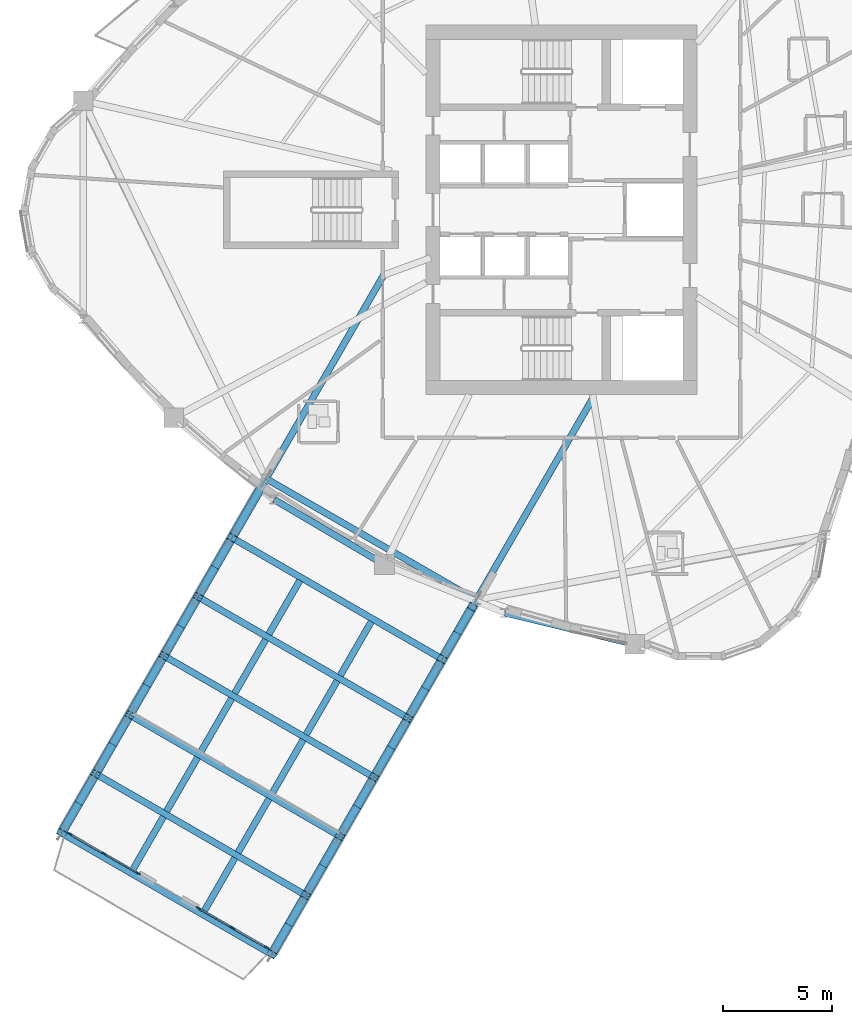
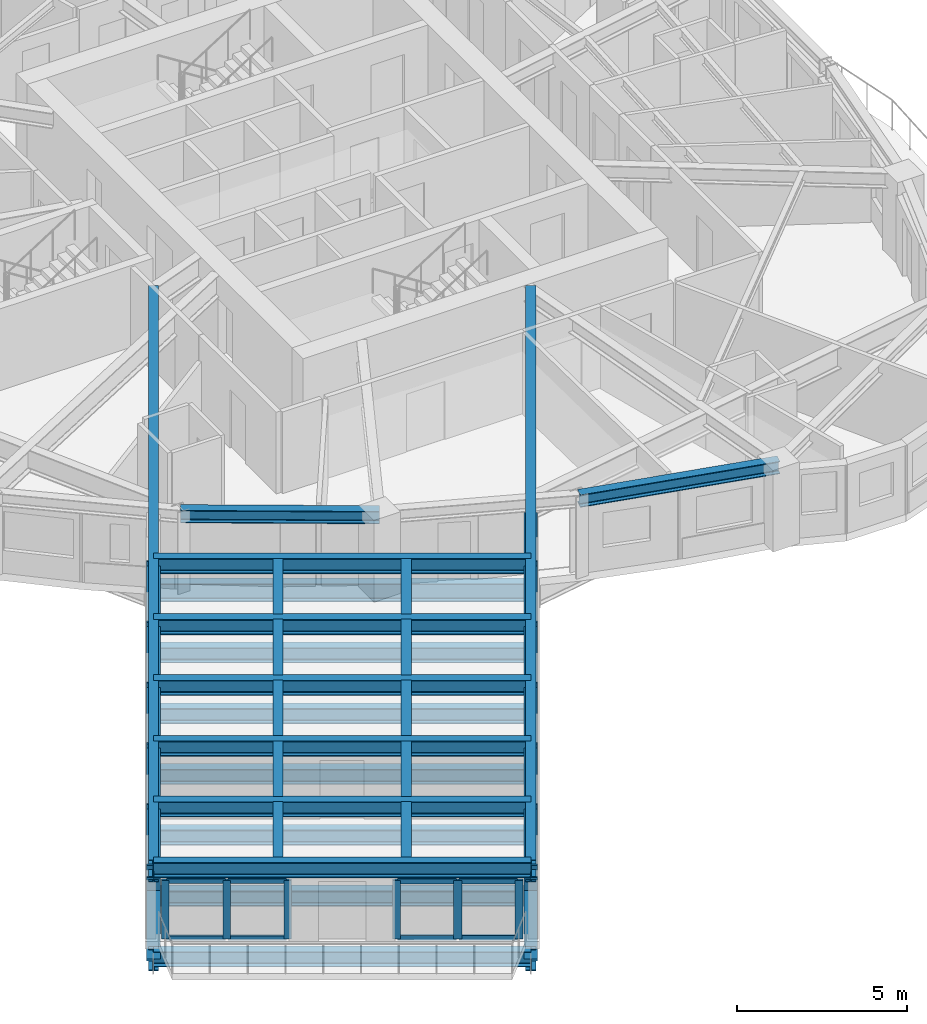
# One storey, part 2 of 17: 38 members, 28 beams, 2 elements without a shape of their own.
"""IFC4 building model written with IfcOpenShell, lengths in metres."""

from ifc_helpers import new_model, si_unit, direction, frame, origin, origin_2d, place, context, subcontext, project, spatial, rectangle, i_section, extrude, source, transform, mapped, material, layer, layer_set, material_profile, profile_set, type_object, element, aggregate, save


model = new_model("IFC4")

# Units and contexts
model_context = context("Model", 3, precision=1e-05, world=origin(), true_north=direction((0.0, 1.0)))
body_context = subcontext(model_context, "Body", "Model", "MODEL_VIEW")
ifc_project = project(units=[si_unit("LENGTHUNIT", "METRE"), si_unit("AREAUNIT", "SQUARE_METRE"), si_unit("VOLUMEUNIT", "CUBIC_METRE"), si_unit("PLANEANGLEUNIT", "RADIAN"), si_unit("MASSUNIT", "GRAM", prefix="KILO")], contexts=[model_context])

# Site, building, storey
site_placement = place(None, origin())
site = spatial("IfcSite", under=ifc_project, at=site_placement, CompositionType="ELEMENT")
building_placement = place(site_placement, origin())
building = spatial("IfcBuilding", under=site, at=building_placement, Name="Qafzar Sky-Pleat Residences", CompositionType="ELEMENT")
storey_placement = place(building_placement, frame((0.0, 0.0, 108.800048828125)))
storey = spatial("IfcBuildingStorey", under=building, at=storey_placement, Name="L32", CompositionType="ELEMENT", Elevation=108.800048828125)

# Beams
ifc_material_1 = material(Name="Steel S355", Category="steel")
ifc_material_profile_1 = material_profile(ifc_material_1, i_section(OverallWidth=0.300048828125, OverallDepth=0.449951171875, WebThickness=0.013916015625, FlangeThickness=0.02587890625, FilletRadius=0.027099609375, at=origin_2d()), Name="HEB 450")
ifc_profile_set_1 = profile_set([ifc_material_profile_1], Name="Steel S355")
beam_type_1 = type_object("IfcBeamType", Name="BM-SPAN-HEB450", PredefinedType="SPANDREL", material=ifc_profile_set_1)
shared_shape_1 = source(origin(), body_context, "Body", "SweptSolid", [
    extrude(i_section(OverallWidth=0.300048828125, OverallDepth=0.449951171875, WebThickness=0.013916015625, FlangeThickness=0.02587890625, FilletRadius=0.027099609375, at=origin_2d()), origin(), (0.0, 0.0, 1.0), 5.85791015625),
])
beam_1_placement = place(storey_placement, frame((17.20947265625, 12.752685546875, 2.7080078125), z_axis=(0.861428087591, -0.507879562406, 0.0), x_axis=(0.507879562406, 0.861428087591, 0.0)))
element("IfcBeam", 1, at=beam_1_placement, inside=storey, type_object=beam_type_1, Name="L32 Perimeter Spandrel Beam 4", PredefinedType="SPANDREL", context=body_context, shape_type="MappedRepresentation", body=[
    mapped(shared_shape_1, transform((0.0, 0.0, 0.0), x_axis=(1.0, 0.0, 0.0), y_axis=(0.0, 1.0, 0.0), z_axis=(0.0, 0.0, 1.0), scale=1.0)),
])
shared_shape_2 = source(origin(), body_context, "Body", "SweptSolid", [
    extrude(i_section(OverallWidth=0.300048828125, OverallDepth=0.449951171875, WebThickness=0.013916015625, FlangeThickness=0.02587890625, FilletRadius=0.027099609375, at=origin_2d()), origin(), (0.0, 0.0, 1.0), 6.122314453125),
])
beam_2_placement = place(storey_placement, frame((27.75390625, 7.5693359375, 2.7080078125), z_axis=(0.971910390101, -0.235351213325, 0.0), x_axis=(0.235351213325, 0.971910390101, 0.0)))
element("IfcBeam", 2, at=beam_2_placement, inside=storey, type_object=beam_type_1, Name="L32 Perimeter Spandrel Beam 6", PredefinedType="SPANDREL", context=body_context, shape_type="MappedRepresentation", body=[
    mapped(shared_shape_2, transform((0.0, 0.0, 0.0), x_axis=(1.0, 0.0, 0.0), y_axis=(0.0, 1.0, 0.0), z_axis=(0.0, 0.0, 1.0), scale=1.0)),
])
ifc_material_2 = material(Name="Steel S460", Category="steel")
ifc_material_profile_2 = material_profile(ifc_material_2, i_section(OverallWidth=0.300048828125, OverallDepth=0.800048828125, WebThickness=0.017578125, FlangeThickness=0.032958984375, FilletRadius=0.030029296875, at=origin_2d()), Name="HEB 800")
ifc_profile_set_2 = profile_set([ifc_material_profile_2], Name="Steel S460")
beam_type_2 = type_object("IfcBeamType", Name="BM-CHORD-HEB800", PredefinedType="BEAM", material=ifc_profile_set_2)
shared_shape_3 = source(origin(), body_context, "Body", "SweptSolid", [
    extrude(i_section(OverallWidth=0.300048828125, OverallDepth=0.800048828125, WebThickness=0.017578125, FlangeThickness=0.032958984375, FilletRadius=0.030029296875, at=origin_2d()), origin(), (0.0, 0.0, 1.0), 29.460205078125),
])
beam_3_placement = place(storey_placement, frame((31.831298828125, 17.4658203125, 2.532958984375), z_axis=(-0.499994809059, -0.866028400755, 0.0), x_axis=(0.866028400755, -0.499994809059, 0.0)))
element("IfcBeam", 3, at=beam_3_placement, inside=storey, type_object=beam_type_2, Name="L32 SB-3 Truss Chord L1", PredefinedType="BEAM", context=body_context, shape_type="MappedRepresentation", body=[
    mapped(shared_shape_3, transform((0.0, 0.0, 0.0), x_axis=(1.0, 0.0, 0.0), y_axis=(0.0, 1.0, 0.0), z_axis=(0.0, 0.0, 1.0), scale=1.0)),
])
shared_shape_4 = source(origin(), body_context, "Body", "SweptSolid", [
    extrude(i_section(OverallWidth=0.300048828125, OverallDepth=0.800048828125, WebThickness=0.017578125, FlangeThickness=0.032958984375, FilletRadius=0.030029296875, at=origin_2d()), origin(), (0.0, 0.0, 1.0), 18.71044921875),
])
for number, where, z_axis, x_axis, name in (
    (4, (26.456298828125, 8.15625, -0.6669921875), (-0.499987133773, -0.866032831976, 0.0), (0.866032831976, -0.499987133773, 0.0), "L32 SB-3 Bottom Chord L1"),
    (5, (16.843505859375, 13.706298828125, -0.6669921875), (-0.499996920117, -0.866027181948, 0.0), (0.866027181948, -0.499996920117, 0.0), "L32 SB-3 Bottom Chord R1"),
):
    element("IfcBeam", number, at=place(storey_placement, frame(where, z_axis=z_axis, x_axis=x_axis)), inside=storey, type_object=beam_type_2, Name=name, PredefinedType="BEAM", context=body_context, shape_type="MappedRepresentation", body=[
        mapped(shared_shape_4, transform((0.0, 0.0, 0.0), x_axis=(1.0, 0.0, 0.0), y_axis=(0.0, 1.0, 0.0), z_axis=(0.0, 0.0, 1.0), scale=1.0)),
    ])

# Members
ifc_material_profile_3 = material_profile(ifc_material_2, i_section(OverallWidth=0.300048828125, OverallDepth=0.64990234375, WebThickness=0.01611328125, FlangeThickness=0.031005859375, FilletRadius=0.027099609375, at=origin_2d()), Name="HEB 650")
ifc_profile_set_3 = profile_set([ifc_material_profile_3], Name="Steel S460")
member_type_1 = type_object("IfcMemberType", Name="MEM-SB-CHORD", PredefinedType="CHORD", material=ifc_profile_set_3)
shared_shape_5 = source(origin(), body_context, "Body", "SweptSolid", [
    extrude(i_section(OverallWidth=0.300048828125, OverallDepth=0.64990234375, WebThickness=0.01611328125, FlangeThickness=0.031005859375, FilletRadius=0.027099609375, at=origin_2d()), origin(), (0.0, 0.0, 1.0), 11.099853515625),
])
member_1_placement = place(storey_placement, frame((26.456298828125, 8.15625, -0.47705078125), z_axis=(-0.866021494144, 0.500006771635, 0.0), x_axis=(-0.500006771635, -0.866021494144, 0.0)))
element("IfcMember", 6, at=member_1_placement, inside=storey, type_object=member_type_1, Name="L32 SB-3 Truss Root Tie Chord", PredefinedType="CHORD", context=body_context, shape_type="MappedRepresentation", body=[
    mapped(shared_shape_5, transform((0.0, 0.0, 0.0), x_axis=(1.0, 0.0, 0.0), y_axis=(0.0, 1.0, 0.0), z_axis=(0.0, 0.0, 1.0), scale=1.0)),
])
ifc_material_profile_4 = material_profile(ifc_material_2, i_section(OverallWidth=0.40087890625, OverallDepth=0.39892578125, WebThickness=0.02294921875, FlangeThickness=0.035888671875, FilletRadius=0.014892578125, at=origin_2d()), Name="HD 400x314")
ifc_profile_set_4 = profile_set([ifc_material_profile_4], Name="Steel S460")
member_type_2 = type_object("IfcMemberType", Name="MEM-SB-DIAG", PredefinedType="BRACE", material=ifc_profile_set_4)
shared_shape_6 = source(origin(), body_context, "Body", "SweptSolid", [
    extrude(i_section(OverallWidth=0.40087890625, OverallDepth=0.39892578125, WebThickness=0.02294921875, FlangeThickness=0.035888671875, FilletRadius=0.014892578125, at=origin_2d()), origin(), (0.0, 0.0, 1.0), 4.224853515625),
])
for number, where, z_axis, x_axis, name in (
    (7, (26.2763671875, 7.844482421875, -0.6669921875), (-0.326444068238, -0.565454984547, 0.757426518392), (0.866039674899, -0.49997528089, 0.0), "L32 SB-3 Truss Web Diagonal L1A"),
    (8, (26.2763671875, 7.844482421875, 2.532958984375), (-0.326444068238, -0.565454984547, -0.757426518392), (0.866039674899, -0.49997528089, 0.0), "L32 SB-3 Truss Web Diagonal L1B"),
):
    element("IfcMember", number, at=place(storey_placement, frame(where, z_axis=z_axis, x_axis=x_axis)), inside=storey, type_object=member_type_2, Name=name, PredefinedType="BRACE", context=body_context, shape_type="MappedRepresentation", body=[
        mapped(shared_shape_6, transform((0.0, 0.0, 0.0), x_axis=(1.0, 0.0, 0.0), y_axis=(0.0, 1.0, 0.0), z_axis=(0.0, 0.0, 1.0), scale=1.0)),
    ])
shared_shape_7 = source(origin(), body_context, "Body", "SweptSolid", [
    extrude(i_section(OverallWidth=0.40087890625, OverallDepth=0.39892578125, WebThickness=0.02294921875, FlangeThickness=0.035888671875, FilletRadius=0.014892578125, at=origin_2d()), origin(), (0.0, 0.0, 1.0), 4.46826171875),
])
for number, where, z_axis, x_axis, name in (
    (9, (24.897216796875, 5.45556640625, -0.6669921875), (-0.348982495153, -0.604422163987, 0.716159944257), (0.866013493936, -0.500020627895, 0.0), "L32 SB-3 Truss Web Diagonal L2A"),
    (10, (24.897216796875, 5.45556640625, 2.532958984375), (-0.348982495153, -0.604422163987, -0.716159944257), (0.866013493936, -0.500020627895, 0.0), "L32 SB-3 Truss Web Diagonal L2B"),
    (11, (15.284423828125, 11.005615234375, -0.6669921875), (-0.348982495153, -0.604422163987, 0.716159944257), (0.866013493936, -0.500020627895, 0.0), "L32 SB-3 Truss Web Diagonal R2A"),
    (12, (15.284423828125, 11.005615234375, 2.532958984375), (-0.348982495153, -0.604422163987, -0.716159944257), (0.866013493936, -0.500020627895, 0.0), "L32 SB-3 Truss Web Diagonal R2B"),
    (13, (9.047607421875, 0.203125, -0.6669921875), (-0.348982495153, -0.604422163987, 0.716159944257), (0.866013493936, -0.500020627895, 0.0), "L32 SB-3 Truss Web Diagonal R6A"),
    (14, (9.047607421875, 0.203125, 2.532958984375), (-0.348982495153, -0.604422163987, -0.716159944257), (0.866013493936, -0.500020627895, 0.0), "L32 SB-3 Truss Web Diagonal R6B"),
):
    element("IfcMember", number, at=place(storey_placement, frame(where, z_axis=z_axis, x_axis=x_axis)), inside=storey, type_object=member_type_2, Name=name, PredefinedType="BRACE", context=body_context, shape_type="MappedRepresentation", body=[
        mapped(shared_shape_7, transform((0.0, 0.0, 0.0), x_axis=(1.0, 0.0, 0.0), y_axis=(0.0, 1.0, 0.0), z_axis=(0.0, 0.0, 1.0), scale=1.0)),
    ])
shared_shape_8 = source(origin(), body_context, "Body", "SweptSolid", [
    extrude(i_section(OverallWidth=0.40087890625, OverallDepth=0.39892578125, WebThickness=0.02294921875, FlangeThickness=0.035888671875, FilletRadius=0.014892578125, at=origin_2d()), origin(), (0.0, 0.0, 1.0), 4.468017578125),
])
for number, where, z_axis, x_axis, name in (
    (15, (23.337890625, 2.7548828125, -0.6669921875), (-0.348934508758, -0.604433688675, 0.716173599481), (0.866047393576, -0.499961910629, 0.0), "L32 SB-3 Truss Web Diagonal L3A"),
    (16, (23.337890625, 2.7548828125, 2.532958984375), (-0.348934508758, -0.604433688675, -0.716173599481), (0.866047393576, -0.499961910629, 0.0), "L32 SB-3 Truss Web Diagonal L3B"),
    (17, (21.77880859375, 0.05419921875, -0.6669921875), (-0.348994020464, -0.604387484006, 0.716183595775), (0.86599391852, -0.500054530113, 0.0), "L32 SB-3 Truss Web Diagonal L4A"),
    (18, (21.77880859375, 0.05419921875, 2.532958984375), (-0.348994020464, -0.604387484006, -0.716183595775), (0.86599391852, -0.500054530113, 0.0), "L32 SB-3 Truss Web Diagonal L4B"),
    (19, (20.219482421875, -2.646240234375, -0.6669921875), (-0.348934508758, -0.604433688675, 0.716173599481), (0.866047393576, -0.499961910629, 0.0), "L32 SB-3 Truss Web Diagonal L5A"),
    (20, (20.219482421875, -2.646240234375, 2.532958984375), (-0.348934508758, -0.604433688675, -0.716173599481), (0.866047393576, -0.499961910629, 0.0), "L32 SB-3 Truss Web Diagonal L5B"),
    (21, (18.660400390625, -5.346923828125, -0.6669921875), (-0.348934508758, -0.604433688675, 0.716173599481), (0.866047393576, -0.499961910629, 0.0), "L32 SB-3 Truss Web Diagonal L6A"),
    (22, (18.660400390625, -5.346923828125, 2.532958984375), (-0.348934508758, -0.604433688675, -0.716173599481), (0.866047393576, -0.499961910629, 0.0), "L32 SB-3 Truss Web Diagonal L6B"),
    (23, (13.72509765625, 8.304931640625, -0.6669921875), (-0.348934508758, -0.604433688675, 0.716173599481), (0.866047393576, -0.499961910629, 0.0), "L32 SB-3 Truss Web Diagonal R3A"),
    (24, (13.72509765625, 8.304931640625, 2.532958984375), (-0.348934508758, -0.604433688675, -0.716173599481), (0.866047393576, -0.499961910629, 0.0), "L32 SB-3 Truss Web Diagonal R3B"),
    (25, (12.166015625, 5.604248046875, -0.6669921875), (-0.348994020464, -0.604387484006, 0.716183595775), (0.86599391852, -0.500054530113, 0.0), "L32 SB-3 Truss Web Diagonal R4A"),
    (26, (12.166015625, 5.604248046875, 2.532958984375), (-0.348994020464, -0.604387484006, -0.716183595775), (0.86599391852, -0.500054530113, 0.0), "L32 SB-3 Truss Web Diagonal R4B"),
    (27, (10.606689453125, 2.90380859375, -0.6669921875), (-0.348934508758, -0.604433688675, 0.716173599481), (0.866047393576, -0.499961910629, 0.0), "L32 SB-3 Truss Web Diagonal R5A"),
    (28, (10.606689453125, 2.90380859375, 2.532958984375), (-0.348934508758, -0.604433688675, -0.716173599481), (0.866047393576, -0.499961910629, 0.0), "L32 SB-3 Truss Web Diagonal R5B"),
):
    element("IfcMember", number, at=place(storey_placement, frame(where, z_axis=z_axis, x_axis=x_axis)), inside=storey, type_object=member_type_2, Name=name, PredefinedType="BRACE", context=body_context, shape_type="MappedRepresentation", body=[
        mapped(shared_shape_8, transform((0.0, 0.0, 0.0), x_axis=(1.0, 0.0, 0.0), y_axis=(0.0, 1.0, 0.0), z_axis=(0.0, 0.0, 1.0), scale=1.0)),
    ])

# Beam
shared_shape_9 = source(origin(), body_context, "Body", "SweptSolid", [
    extrude(i_section(OverallWidth=0.300048828125, OverallDepth=0.800048828125, WebThickness=0.017578125, FlangeThickness=0.032958984375, FilletRadius=0.030029296875, at=origin_2d()), origin(), (0.0, 0.0, 1.0), 29.46044921875),
])
beam_4_placement = place(storey_placement, frame((22.218505859375, 23.015869140625, 2.532958984375), z_axis=(-0.5000010244, -0.866024812346, 0.0), x_axis=(0.866024812346, -0.5000010244, 0.0)))
element("IfcBeam", 29, at=beam_4_placement, inside=storey, type_object=beam_type_2, Name="L32 SB-3 Truss Chord R1", PredefinedType="BEAM", context=body_context, shape_type="MappedRepresentation", body=[
    mapped(shared_shape_9, transform((0.0, 0.0, 0.0), x_axis=(1.0, 0.0, 0.0), y_axis=(0.0, 1.0, 0.0), z_axis=(0.0, 0.0, 1.0), scale=1.0)),
])

# Member
shared_shape_10 = source(origin(), body_context, "Body", "SweptSolid", [
    extrude(i_section(OverallWidth=0.40087890625, OverallDepth=0.39892578125, WebThickness=0.02294921875, FlangeThickness=0.035888671875, FilletRadius=0.014892578125, at=origin_2d()), origin(), (0.0, 0.0, 1.0), 4.224609375),
])
member_2_placement = place(storey_placement, frame((16.66357421875, 13.394287109375, -0.6669921875), z_axis=(-0.326454735258, -0.565415671759, 0.757451268371), x_axis=(0.866017547827, -0.500013606671, 0.0)))
element("IfcMember", 30, at=member_2_placement, inside=storey, type_object=member_type_2, Name="L32 SB-3 Truss Web Diagonal R1A", PredefinedType="BRACE", context=body_context, shape_type="MappedRepresentation", body=[
    mapped(shared_shape_10, transform((0.0, 0.0, 0.0), x_axis=(1.0, 0.0, 0.0), y_axis=(0.0, 1.0, 0.0), z_axis=(0.0, 0.0, 1.0), scale=1.0)),
])

# Beams
ifc_material_profile_5 = material_profile(ifc_material_1, i_section(OverallWidth=0.300048828125, OverallDepth=0.550048828125, WebThickness=0.014892578125, FlangeThickness=0.029052734375, FilletRadius=0.027099609375, at=origin_2d()), Name="HEB 550")
ifc_profile_set_5 = profile_set([ifc_material_profile_5], Name="Steel S355")
beam_type_3 = type_object("IfcBeamType", Name="BM-GIRD-HEB550", PredefinedType="BEAM", material=ifc_profile_set_5)
shared_shape_11 = source(origin(), body_context, "Body", "SweptSolid", [
    extrude(i_section(OverallWidth=0.300048828125, OverallDepth=0.550048828125, WebThickness=0.014892578125, FlangeThickness=0.029052734375, FilletRadius=0.027099609375, at=origin_2d()), origin(), (0.0, 0.0, 1.0), 11.099853515625),
])
for number, where, z_axis, x_axis, name in (
    (31, (24.897216796875, 5.45556640625, 2.657958984375), (-0.866021494144, 0.500006771635, 0.0), (-0.500006771635, -0.866021494144, 0.0), "L32 SB-3 Transverse Girder 1"),
    (32, (24.897216796875, 5.45556640625, -0.5419921875), (-0.866021494144, 0.500006771635, 0.0), (-0.500006771635, -0.866021494144, 0.0), "L32 SB-3 Bottom Transverse Girder 1"),
    (33, (23.337890625, 2.7548828125, 2.657958984375), (-0.866021494144, 0.500006771635, 0.0), (-0.500006771635, -0.866021494144, 0.0), "L32 SB-3 Transverse Girder 2"),
    (34, (23.337890625, 2.7548828125, -0.5419921875), (-0.866021494144, 0.500006771635, 0.0), (-0.500006771635, -0.866021494144, 0.0), "L32 SB-3 Bottom Transverse Girder 2"),
    (35, (21.77880859375, 0.05419921875, 2.657958984375), (-0.866021494144, 0.500006771635, 0.0), (-0.500006771635, -0.866021494144, 0.0), "L32 SB-3 Transverse Girder 3"),
    (36, (21.77880859375, 0.05419921875, -0.5419921875), (-0.866021494144, 0.500006771635, 0.0), (-0.500006771635, -0.866021494144, 0.0), "L32 SB-3 Bottom Transverse Girder 3"),
    (37, (20.219482421875, -2.646240234375, 2.657958984375), (-0.866021494144, 0.500006771635, 0.0), (-0.500006771635, -0.866021494144, 0.0), "L32 SB-3 Transverse Girder 4"),
    (38, (20.219482421875, -2.646240234375, -0.5419921875), (-0.866021494144, 0.500006771635, 0.0), (-0.500006771635, -0.866021494144, 0.0), "L32 SB-3 Bottom Transverse Girder 4"),
    (39, (18.660400390625, -5.346923828125, 2.657958984375), (-0.866021494144, 0.500006771635, 0.0), (-0.500006771635, -0.866021494144, 0.0), "L32 SB-3 Transverse Girder 5"),
    (40, (18.660400390625, -5.346923828125, -0.5419921875), (-0.866021494144, 0.500006771635, 0.0), (-0.500006771635, -0.866021494144, 0.0), "L32 SB-3 Bottom Transverse Girder 5"),
):
    element("IfcBeam", number, at=place(storey_placement, frame(where, z_axis=z_axis, x_axis=x_axis)), inside=storey, type_object=beam_type_3, Name=name, PredefinedType="BEAM", context=body_context, shape_type="MappedRepresentation", body=[
        mapped(shared_shape_11, transform((0.0, 0.0, 0.0), x_axis=(1.0, 0.0, 0.0), y_axis=(0.0, 1.0, 0.0), z_axis=(0.0, 0.0, 1.0), scale=1.0)),
    ])
ifc_material_profile_6 = material_profile(ifc_material_1, i_section(OverallWidth=0.300048828125, OverallDepth=0.389892578125, WebThickness=0.010986328125, FlangeThickness=0.01904296875, FilletRadius=0.027099609375, at=origin_2d()), Name="HEA 400")
ifc_profile_set_6 = profile_set([ifc_material_profile_6], Name="Steel S355")
beam_type_4 = type_object("IfcBeamType", Name="BM-SBJ-HEA400", PredefinedType="JOIST", material=ifc_profile_set_6)
shared_shape_12 = source(origin(), body_context, "Body", "SweptSolid", [
    extrude(i_section(OverallWidth=0.300048828125, OverallDepth=0.389892578125, WebThickness=0.010986328125, FlangeThickness=0.01904296875, FilletRadius=0.027099609375, at=origin_2d()), origin(), (0.0, 0.0, 1.0), 2.848388671875),
])
for number, where, z_axis, x_axis, name in (
    (41, (18.38916015625, 9.05712890625, 2.738037109375), (-0.500029111807, -0.866008595423, 0.0), (0.866008595423, -0.500029111807, 0.0), "L32 SB-3 Sky-Bar Secondary Deck Joist 2.1"),
    (42, (21.657470703125, 7.170166015625, 2.738037109375), (-0.499964828059, -0.866045709362, 0.0), (0.866045709362, -0.499964828059, 0.0), "L32 SB-3 Sky-Bar Secondary Deck Joist 2.2"),
    (43, (16.829833984375, 6.3564453125, 2.738037109375), (-0.499964828059, -0.866045709362, 0.0), (0.866045709362, -0.499964828059, 0.0), "L32 SB-3 Sky-Bar Secondary Deck Joist 3.1"),
    (44, (20.098388671875, 4.469482421875, 2.738037109375), (-0.500029111807, -0.866008595423, 0.0), (0.866008595423, -0.500029111807, 0.0), "L32 SB-3 Sky-Bar Secondary Deck Joist 3.2"),
    (45, (15.270751953125, 3.656005859375, 2.738037109375), (-0.500029111807, -0.866008595423, 0.0), (0.866008595423, -0.500029111807, 0.0), "L32 SB-3 Sky-Bar Secondary Deck Joist 4.1"),
    (46, (18.5390625, 1.768798828125, 2.738037109375), (-0.499964828059, -0.866045709362, 0.0), (0.866045709362, -0.499964828059, 0.0), "L32 SB-3 Sky-Bar Secondary Deck Joist 4.2"),
    (47, (13.71142578125, 0.955322265625, 2.738037109375), (-0.499964828059, -0.866045709362, 0.0), (0.866045709362, -0.499964828059, 0.0), "L32 SB-3 Sky-Bar Secondary Deck Joist 5.1"),
    (48, (16.97998046875, -0.931640625, 2.738037109375), (-0.500029111807, -0.866008595423, 0.0), (0.866008595423, -0.500029111807, 0.0), "L32 SB-3 Sky-Bar Secondary Deck Joist 5.2"),
    (49, (12.15234375, -1.745361328125, 2.738037109375), (-0.500029111807, -0.866008595423, 0.0), (0.866008595423, -0.500029111807, 0.0), "L32 SB-3 Sky-Bar Secondary Deck Joist 6.1"),
    (50, (15.420654296875, -3.63232421875, 2.738037109375), (-0.499964828059, -0.866045709362, 0.0), (0.866045709362, -0.499964828059, 0.0), "L32 SB-3 Sky-Bar Secondary Deck Joist 6.2"),
):
    element("IfcBeam", number, at=place(storey_placement, frame(where, z_axis=z_axis, x_axis=x_axis)), inside=storey, type_object=beam_type_4, Name=name, PredefinedType="JOIST", context=body_context, shape_type="MappedRepresentation", body=[
        mapped(shared_shape_12, transform((0.0, 0.0, 0.0), x_axis=(1.0, 0.0, 0.0), y_axis=(0.0, 1.0, 0.0), z_axis=(0.0, 0.0, 1.0), scale=1.0)),
    ])
shared_shape_13 = source(origin(), body_context, "Body", "SweptSolid", [
    extrude(i_section(OverallWidth=0.300048828125, OverallDepth=0.550048828125, WebThickness=0.014892578125, FlangeThickness=0.029052734375, FilletRadius=0.027099609375, at=origin_2d()), origin(), (0.0, 0.0, 1.0), 11.10009765625),
])
for number, where, z_axis, x_axis, name in (
    (51, (17.101318359375, -8.047607421875, 2.657958984375), (-0.866026992824, 0.499997247692, 0.0), (-0.499997247692, -0.866026992824, 0.0), "L32 SB-3 Transverse Girder 6"),
    (52, (17.101318359375, -8.047607421875, -0.5419921875), (-0.866026992824, 0.499997247692, 0.0), (-0.499997247692, -0.866026992824, 0.0), "L32 SB-3 Bottom Transverse Girder 6"),
):
    element("IfcBeam", number, at=place(storey_placement, frame(where, z_axis=z_axis, x_axis=x_axis)), inside=storey, type_object=beam_type_3, Name=name, PredefinedType="BEAM", context=body_context, shape_type="MappedRepresentation", body=[
        mapped(shared_shape_13, transform((0.0, 0.0, 0.0), x_axis=(1.0, 0.0, 0.0), y_axis=(0.0, 1.0, 0.0), z_axis=(0.0, 0.0, 1.0), scale=1.0)),
    ])

# Curtain wall, members
ifc_material_3 = material(Name="Anodised bronze aluminium framing", Category="aluminium")
ifc_layer_1 = layer(ifc_material_3, 0.239990234375)
ifc_layer_set_1 = layer_set([ifc_layer_1], Name="Anodised bronze aluminium framing")
curtain_wall_type_1 = type_object("IfcCurtainWallType", Name="CW-SYS-02", PredefinedType="NOTDEFINED", material=ifc_layer_set_1)
curtain_wall_1_placement = place(storey_placement, origin())
curtain_wall_1 = element("IfcCurtainWall", 53, at=curtain_wall_1_placement, inside=storey, type_object=curtain_wall_type_1, Name="L32 CW-02 Curtain Wall CW-L32-SB-3-PROW-L", PredefinedType="NOTDEFINED")
ifc_material_4 = material(Name="Anodised bronze aluminium", Category="aluminium")
ifc_material_profile_7 = material_profile(ifc_material_4, rectangle(XDim=0.074951171875, YDim=0.239990234375, at=origin_2d()), Name="ALU MULLION 75x240")
ifc_profile_set_7 = profile_set([ifc_material_profile_7], Name="Anodised bronze aluminium")
member_type_3 = type_object("IfcMemberType", Name="CWM-02", PredefinedType="MULLION", material=ifc_profile_set_7)
shared_shape_14 = source(origin(), body_context, "Body", "SweptSolid", [
    extrude(rectangle(XDim=0.074951171875, YDim=0.239990234375, at=origin_2d()), origin(), (0.0, 0.0, 1.0), 2.114990234375),
])
member_3_placement = place(storey_placement, frame((16.875244140625, -7.743896484375, 0.0), z_axis=(0.0, 0.0, 1.0), x_axis=(-0.499996880201, -0.866027204994, 0.0)))
member_3 = element("IfcMember", 54, at=member_3_placement, type_object=member_type_3, Name="CW-02 mullion 1", PredefinedType="MULLION", context=body_context, shape_type="MappedRepresentation", body=[
    mapped(shared_shape_14, transform((0.0, 0.0, 0.0), x_axis=(1.0, 0.0, 0.0), y_axis=(0.0, 1.0, 0.0), z_axis=(0.0, 0.0, 1.0), scale=1.0)),
])
member_4_placement = place(storey_placement, frame((15.314208984375, -6.842529296875, 0.0), z_axis=(0.0, 0.0, 1.0), x_axis=(-0.499996880201, -0.866027204994, 0.0)))
member_4 = element("IfcMember", 55, at=member_4_placement, type_object=member_type_3, Name="CW-02 mullion 2", PredefinedType="MULLION", context=body_context, shape_type="MappedRepresentation", body=[
    mapped(shared_shape_14, transform((0.0, 0.0, 0.0), x_axis=(1.0, 0.0, 0.0), y_axis=(0.0, 1.0, 0.0), z_axis=(0.0, 0.0, 1.0), scale=1.0)),
])
member_5_placement = place(storey_placement, frame((13.753173828125, -5.94140625, 0.0), z_axis=(0.0, 0.0, 1.0), x_axis=(-0.499996880201, -0.866027204994, 0.0)))
member_5 = element("IfcMember", 56, at=member_5_placement, type_object=member_type_3, Name="CW-02 mullion 3", PredefinedType="MULLION", context=body_context, shape_type="MappedRepresentation", body=[
    mapped(shared_shape_14, transform((0.0, 0.0, 0.0), x_axis=(1.0, 0.0, 0.0), y_axis=(0.0, 1.0, 0.0), z_axis=(0.0, 0.0, 1.0), scale=1.0)),
])

ifc_layer_2 = layer(ifc_material_3, 0.219970703125)
ifc_layer_set_2 = layer_set([ifc_layer_2], Name="Anodised bronze aluminium framing")
curtain_wall_type_2 = type_object("IfcCurtainWallType", Name="CW-SYS-03", PredefinedType="NOTDEFINED", material=ifc_layer_set_2)
curtain_wall_2_placement = place(storey_placement, origin())
curtain_wall_2 = element("IfcCurtainWall", 57, at=curtain_wall_2_placement, inside=storey, type_object=curtain_wall_type_2, Name="L32 CW-03 Curtain Wall CW-L32-SB-3-PROW-R", PredefinedType="NOTDEFINED")
ifc_material_profile_8 = material_profile(ifc_material_4, rectangle(XDim=0.070068359375, YDim=0.219970703125, at=origin_2d()), Name="ALU MULLION 70x220")
ifc_profile_set_8 = profile_set([ifc_material_profile_8], Name="Anodised bronze aluminium")
member_type_4 = type_object("IfcMemberType", Name="CWM-03", PredefinedType="MULLION", material=ifc_profile_set_8)
shared_shape_15 = source(origin(), body_context, "Body", "SweptSolid", [
    extrude(rectangle(XDim=0.070068359375, YDim=0.219970703125, at=origin_2d()), origin(), (0.0, 0.0, 1.0), 2.114990234375),
])
member_6_placement = place(storey_placement, frame((10.988525390625, -4.34521484375, 0.0), z_axis=(0.0, 0.0, 1.0), x_axis=(-0.499996880201, -0.866027204994, 0.0)))
member_6 = element("IfcMember", 58, at=member_6_placement, type_object=member_type_4, Name="CW-03 mullion 1", PredefinedType="MULLION", context=body_context, shape_type="MappedRepresentation", body=[
    mapped(shared_shape_15, transform((0.0, 0.0, 0.0), x_axis=(1.0, 0.0, 0.0), y_axis=(0.0, 1.0, 0.0), z_axis=(0.0, 0.0, 1.0), scale=1.0)),
])
member_7_placement = place(storey_placement, frame((9.42529296875, -3.442626953125, 0.0), z_axis=(0.0, 0.0, 1.0), x_axis=(-0.499996880201, -0.866027204994, 0.0)))
member_7 = element("IfcMember", 59, at=member_7_placement, type_object=member_type_4, Name="CW-03 mullion 2", PredefinedType="MULLION", context=body_context, shape_type="MappedRepresentation", body=[
    mapped(shared_shape_15, transform((0.0, 0.0, 0.0), x_axis=(1.0, 0.0, 0.0), y_axis=(0.0, 1.0, 0.0), z_axis=(0.0, 0.0, 1.0), scale=1.0)),
])
member_8_placement = place(storey_placement, frame((7.862060546875, -2.5400390625, 0.0), z_axis=(0.0, 0.0, 1.0), x_axis=(-0.499996880201, -0.866027204994, 0.0)))
member_8 = element("IfcMember", 60, at=member_8_placement, type_object=member_type_4, Name="CW-03 mullion 3", PredefinedType="MULLION", context=body_context, shape_type="MappedRepresentation", body=[
    mapped(shared_shape_15, transform((0.0, 0.0, 0.0), x_axis=(1.0, 0.0, 0.0), y_axis=(0.0, 1.0, 0.0), z_axis=(0.0, 0.0, 1.0), scale=1.0)),
])

# Member
ifc_material_profile_9 = material_profile(ifc_material_4, rectangle(XDim=0.074951171875, YDim=0.179931640625, at=origin_2d()), Name="ALU TRANSOM 75x180")
ifc_profile_set_9 = profile_set([ifc_material_profile_9], Name="Anodised bronze aluminium")
member_type_5 = type_object("IfcMemberType", Name="CWT-02", PredefinedType="USERDEFINED", material=ifc_profile_set_9)
shared_shape_16 = source(origin(), body_context, "Body", "SweptSolid", [
    extrude(rectangle(XDim=0.074951171875, YDim=0.179931640625, at=origin_2d()), origin(), (0.0, 0.0, 1.0), 1.7275390625),
])
member_9_placement = place(storey_placement, frame((16.8427734375, -7.72509765625, 0.037353515625), z_axis=(-0.866025553686, 0.499999740363, 0.0), x_axis=(-0.499999740363, -0.866025553686, 0.0)))
member_9 = element("IfcMember", 61, at=member_9_placement, type_object=member_type_5, Name="CW-02 transom 1.1", ObjectType="TRANSOM", PredefinedType="USERDEFINED", context=body_context, shape_type="MappedRepresentation", body=[
    mapped(shared_shape_16, transform((0.0, 0.0, 0.0), x_axis=(1.0, 0.0, 0.0), y_axis=(0.0, 1.0, 0.0), z_axis=(0.0, 0.0, 1.0), scale=1.0)),
])

member_10_placement = place(storey_placement, frame((16.8427734375, -7.72509765625, 2.077392578125), z_axis=(-0.866025553686, 0.499999740363, 0.0), x_axis=(-0.499999740363, -0.866025553686, 0.0)))
member_10 = element("IfcMember", 62, at=member_10_placement, type_object=member_type_5, Name="CW-02 transom 1.2", ObjectType="TRANSOM", PredefinedType="USERDEFINED", context=body_context, shape_type="MappedRepresentation", body=[
    mapped(shared_shape_16, transform((0.0, 0.0, 0.0), x_axis=(1.0, 0.0, 0.0), y_axis=(0.0, 1.0, 0.0), z_axis=(0.0, 0.0, 1.0), scale=1.0)),
])

member_11_placement = place(storey_placement, frame((15.28173828125, -6.82373046875, 0.037353515625), z_axis=(-0.866086746029, 0.49989373706, 0.0), x_axis=(-0.49989373706, -0.866086746029, 0.0)))
member_11 = element("IfcMember", 63, at=member_11_placement, type_object=member_type_5, Name="CW-02 transom 2.1", ObjectType="TRANSOM", PredefinedType="USERDEFINED", context=body_context, shape_type="MappedRepresentation", body=[
    mapped(shared_shape_16, transform((0.0, 0.0, 0.0), x_axis=(1.0, 0.0, 0.0), y_axis=(0.0, 1.0, 0.0), z_axis=(0.0, 0.0, 1.0), scale=1.0)),
])

member_12_placement = place(storey_placement, frame((15.28173828125, -6.82373046875, 2.077392578125), z_axis=(-0.866086746029, 0.49989373706, 0.0), x_axis=(-0.49989373706, -0.866086746029, 0.0)))
member_12 = element("IfcMember", 64, at=member_12_placement, type_object=member_type_5, Name="CW-02 transom 2.2", ObjectType="TRANSOM", PredefinedType="USERDEFINED", context=body_context, shape_type="MappedRepresentation", body=[
    mapped(shared_shape_16, transform((0.0, 0.0, 0.0), x_axis=(1.0, 0.0, 0.0), y_axis=(0.0, 1.0, 0.0), z_axis=(0.0, 0.0, 1.0), scale=1.0)),
])

aggregate(curtain_wall_1, [member_3, member_4, member_5, member_9, member_10, member_11, member_12])

ifc_material_profile_10 = material_profile(ifc_material_4, rectangle(XDim=0.070068359375, YDim=0.1650390625, at=origin_2d()), Name="ALU TRANSOM 70x165")
ifc_profile_set_10 = profile_set([ifc_material_profile_10], Name="Anodised bronze aluminium")
member_type_6 = type_object("IfcMemberType", Name="CWT-03", PredefinedType="USERDEFINED", material=ifc_profile_set_10)
shared_shape_17 = source(origin(), body_context, "Body", "SweptSolid", [
    extrude(rectangle(XDim=0.070068359375, YDim=0.1650390625, at=origin_2d()), origin(), (0.0, 0.0, 1.0), 1.735107421875),
])
member_13_placement = place(storey_placement, frame((10.958251953125, -4.32763671875, 0.034912109375), z_axis=(-0.866061404673, 0.499937639448, 0.0), x_axis=(-0.499937639448, -0.866061404673, 0.0)))
member_13 = element("IfcMember", 65, at=member_13_placement, type_object=member_type_6, Name="CW-03 transom 1.1", ObjectType="TRANSOM", PredefinedType="USERDEFINED", context=body_context, shape_type="MappedRepresentation", body=[
    mapped(shared_shape_17, transform((0.0, 0.0, 0.0), x_axis=(1.0, 0.0, 0.0), y_axis=(0.0, 1.0, 0.0), z_axis=(0.0, 0.0, 1.0), scale=1.0)),
])

member_14_placement = place(storey_placement, frame((10.958251953125, -4.32763671875, 2.079833984375), z_axis=(-0.866061404673, 0.499937639448, 0.0), x_axis=(-0.499937639448, -0.866061404673, 0.0)))
member_14 = element("IfcMember", 66, at=member_14_placement, type_object=member_type_6, Name="CW-03 transom 1.2", ObjectType="TRANSOM", PredefinedType="USERDEFINED", context=body_context, shape_type="MappedRepresentation", body=[
    mapped(shared_shape_17, transform((0.0, 0.0, 0.0), x_axis=(1.0, 0.0, 0.0), y_axis=(0.0, 1.0, 0.0), z_axis=(0.0, 0.0, 1.0), scale=1.0)),
])

member_15_placement = place(storey_placement, frame((9.39501953125, -3.425048828125, 0.034912109375), z_axis=(-0.866061404673, 0.499937639448, 0.0), x_axis=(-0.499937639448, -0.866061404673, 0.0)))
member_15 = element("IfcMember", 67, at=member_15_placement, type_object=member_type_6, Name="CW-03 transom 2.1", ObjectType="TRANSOM", PredefinedType="USERDEFINED", context=body_context, shape_type="MappedRepresentation", body=[
    mapped(shared_shape_17, transform((0.0, 0.0, 0.0), x_axis=(1.0, 0.0, 0.0), y_axis=(0.0, 1.0, 0.0), z_axis=(0.0, 0.0, 1.0), scale=1.0)),
])

member_16_placement = place(storey_placement, frame((9.39501953125, -3.425048828125, 2.079833984375), z_axis=(-0.866061404673, 0.499937639448, 0.0), x_axis=(-0.499937639448, -0.866061404673, 0.0)))
member_16 = element("IfcMember", 68, at=member_16_placement, type_object=member_type_6, Name="CW-03 transom 2.2", ObjectType="TRANSOM", PredefinedType="USERDEFINED", context=body_context, shape_type="MappedRepresentation", body=[
    mapped(shared_shape_17, transform((0.0, 0.0, 0.0), x_axis=(1.0, 0.0, 0.0), y_axis=(0.0, 1.0, 0.0), z_axis=(0.0, 0.0, 1.0), scale=1.0)),
])

aggregate(curtain_wall_2, [member_6, member_7, member_8, member_13, member_14, member_15, member_16])

save(model, "model.ifc")
